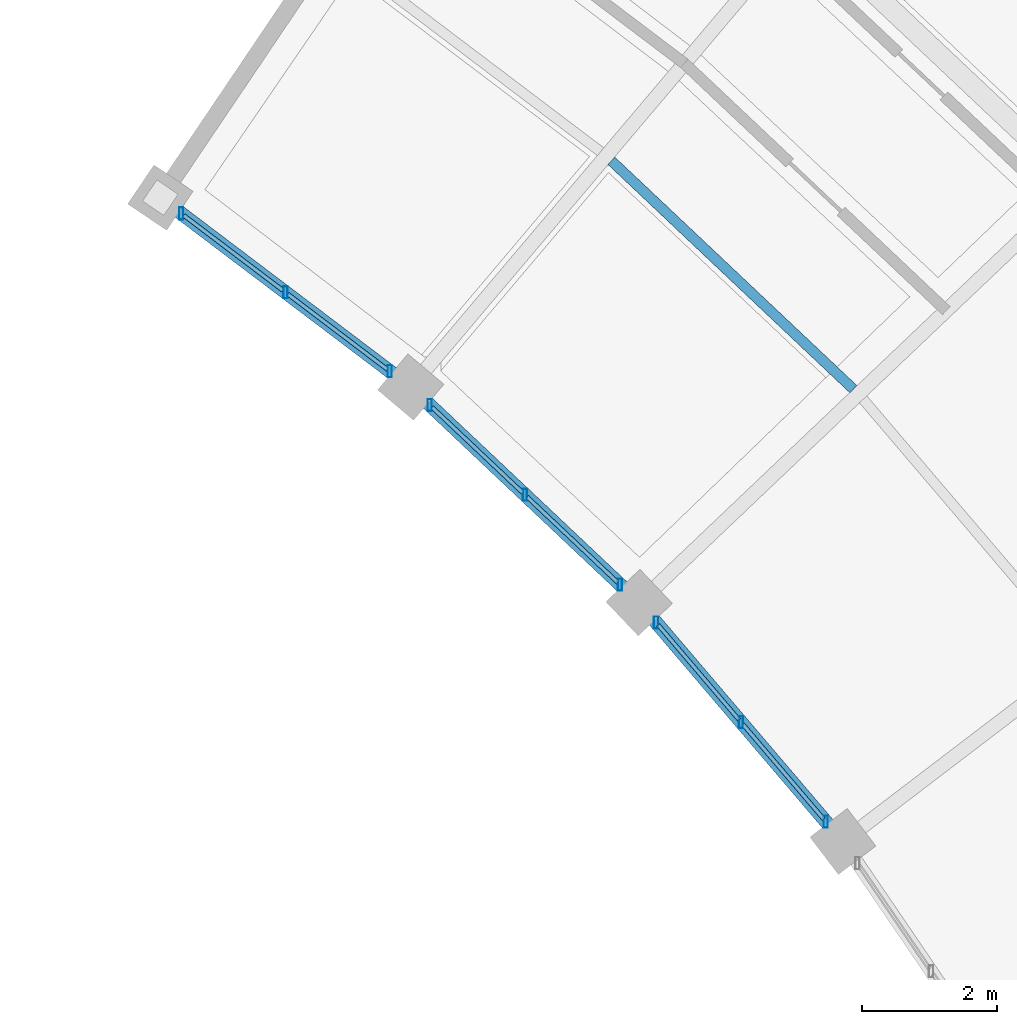
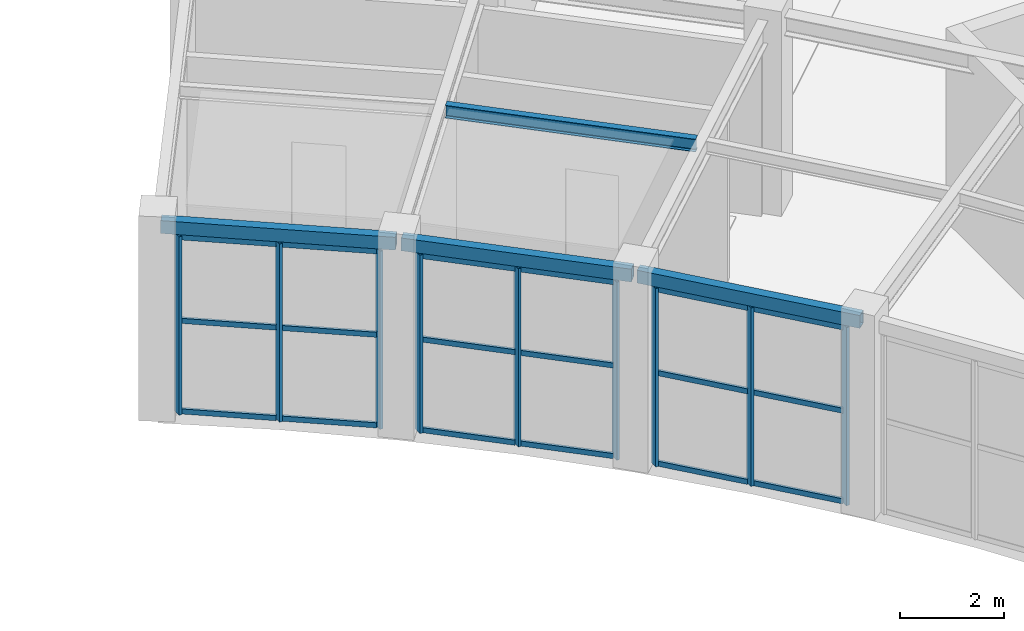
# One storey, part 63 of 100: 27 members, 4 beams, 3 elements without a shape of their own.
"""IFC4 building model written with IfcOpenShell, lengths in metres."""

from ifc_helpers import new_model, si_unit, direction, frame, origin, origin_2d, place, context, subcontext, project, spatial, hollow_rectangle, i_section, extrude, material, material_profile, profile_set, type_object, element, aggregate, save


model = new_model("IFC4")

# Units and contexts
model_context = context("Model", 3, precision=1e-05, world=origin(), true_north=direction((0.0, 1.0)))
body_context = subcontext(model_context, "Body", "Model", "MODEL_VIEW")
ifc_project = project(units=[si_unit("LENGTHUNIT", "METRE"), si_unit("AREAUNIT", "SQUARE_METRE"), si_unit("VOLUMEUNIT", "CUBIC_METRE"), si_unit("PLANEANGLEUNIT", "RADIAN"), si_unit("MASSUNIT", "GRAM", prefix="KILO")], contexts=[model_context])

# Site, building, storey
site_placement = place(None, origin())
site = spatial("IfcSite", under=ifc_project, at=site_placement, CompositionType="ELEMENT")
building_placement = place(site_placement, origin())
building = spatial("IfcBuilding", under=site, at=building_placement, Name="Tarnveldt Headland Concert Hall", CompositionType="ELEMENT")
storey_placement = place(building_placement, frame((0.0, 0.0, 4.800048828125)))
storey = spatial("IfcBuildingStorey", under=building, at=storey_placement, Name="L01", CompositionType="ELEMENT", Elevation=4.800048828125)

# Curtain wall, members
ifc_material_1 = material(Name="Marine-anodised aluminium EN AW-6063-T6", Category="aluminium")
curtain_wall_type = type_object("IfcCurtainWallType", Name="CW-C2", PredefinedType="NOTDEFINED", material=ifc_material_1)
curtain_wall_1_placement = place(storey_placement, origin())
curtain_wall_1 = element("IfcCurtainWall", 1, at=curtain_wall_1_placement, inside=storey, type_object=curtain_wall_type, Name="Curtain wall CW-L01-120", PredefinedType="NOTDEFINED")
ifc_material_profile_1 = material_profile(ifc_material_1, hollow_rectangle(XDim=0.06494140625, YDim=0.179931640625, WallThickness=0.00390625, at=origin_2d()), Name="ALU MULLION 65x180x4", Category="aluminium")
ifc_profile_set_1 = profile_set([ifc_material_profile_1], Name="Marine-anodised aluminium EN AW-6063-T6")
member_type_1 = type_object("IfcMemberType", Name="ML-180", PredefinedType="MULLION", material=ifc_profile_set_1)
member_1_placement = place(storey_placement, frame((151.437255859375, 86.374267578125, 0.0), z_axis=(0.0, 0.0, 1.0), x_axis=(1.0, 0.0, 0.0)))
member_1 = element("IfcMember", 2, at=member_1_placement, type_object=member_type_1, Name="Mullion CW-L01-120-1", PredefinedType="MULLION", context=body_context, shape_type="SweptSolid", body=[
    extrude(hollow_rectangle(XDim=0.06494140625, YDim=0.179931640625, WallThickness=0.00390625, at=origin_2d()), origin(), (0.0, 0.0, 1.0), 4.179931640625),
])
member_2_placement = place(storey_placement, frame((150.17626953125, 87.853515625, 0.0), z_axis=(0.0, 0.0, 1.0), x_axis=(1.0, 0.0, 0.0)))
member_2 = element("IfcMember", 3, at=member_2_placement, type_object=member_type_1, Name="Mullion CW-L01-120-2", PredefinedType="MULLION", context=body_context, shape_type="SweptSolid", body=[
    extrude(hollow_rectangle(XDim=0.06494140625, YDim=0.179931640625, WallThickness=0.00390625, at=origin_2d()), origin(), (0.0, 0.0, 1.0), 4.179931640625),
])
member_3_placement = place(storey_placement, frame((148.915283203125, 89.332763671875, 0.0), z_axis=(0.0, 0.0, 1.0), x_axis=(1.0, 0.0, 0.0)))
member_3 = element("IfcMember", 4, at=member_3_placement, type_object=member_type_1, Name="Mullion CW-L01-120-3", PredefinedType="MULLION", context=body_context, shape_type="SweptSolid", body=[
    extrude(hollow_rectangle(XDim=0.06494140625, YDim=0.179931640625, WallThickness=0.00390625, at=origin_2d()), origin(), (0.0, 0.0, 1.0), 4.179931640625),
])

curtain_wall_2_placement = place(storey_placement, origin())
curtain_wall_2 = element("IfcCurtainWall", 5, at=curtain_wall_2_placement, inside=storey, type_object=curtain_wall_type, Name="Curtain wall CW-L01-121", PredefinedType="NOTDEFINED")
member_4_placement = place(storey_placement, frame((148.378662109375, 89.897216796875, 0.0), z_axis=(0.0, 0.0, 1.0), x_axis=(1.0, 0.0, 0.0)))
member_4 = element("IfcMember", 6, at=member_4_placement, type_object=member_type_1, Name="Mullion CW-L01-121-1", PredefinedType="MULLION", context=body_context, shape_type="SweptSolid", body=[
    extrude(hollow_rectangle(XDim=0.06494140625, YDim=0.179931640625, WallThickness=0.00390625, at=origin_2d()), origin(), (0.0, 0.0, 1.0), 4.179931640625),
])
member_5_placement = place(storey_placement, frame((146.96484375, 91.23095703125, 0.0), z_axis=(0.0, 0.0, 1.0), x_axis=(1.0, 0.0, 0.0)))
member_5 = element("IfcMember", 7, at=member_5_placement, type_object=member_type_1, Name="Mullion CW-L01-121-2", PredefinedType="MULLION", context=body_context, shape_type="SweptSolid", body=[
    extrude(hollow_rectangle(XDim=0.06494140625, YDim=0.179931640625, WallThickness=0.00390625, at=origin_2d()), origin(), (0.0, 0.0, 1.0), 4.179931640625),
])
member_6_placement = place(storey_placement, frame((145.551025390625, 92.56494140625, 0.0), z_axis=(0.0, 0.0, 1.0), x_axis=(1.0, 0.0, 0.0)))
member_6 = element("IfcMember", 8, at=member_6_placement, type_object=member_type_1, Name="Mullion CW-L01-121-3", PredefinedType="MULLION", context=body_context, shape_type="SweptSolid", body=[
    extrude(hollow_rectangle(XDim=0.06494140625, YDim=0.179931640625, WallThickness=0.00390625, at=origin_2d()), origin(), (0.0, 0.0, 1.0), 4.179931640625),
])

curtain_wall_3_placement = place(storey_placement, origin())
curtain_wall_3 = element("IfcCurtainWall", 9, at=curtain_wall_3_placement, inside=storey, type_object=curtain_wall_type, Name="Curtain wall CW-L01-122", PredefinedType="NOTDEFINED")
member_7_placement = place(storey_placement, frame((144.956298828125, 93.06787109375, 0.0), z_axis=(0.0, 0.0, 1.0), x_axis=(1.0, 0.0, 0.0)))
member_7 = element("IfcMember", 10, at=member_7_placement, type_object=member_type_1, Name="Mullion CW-L01-122-1", PredefinedType="MULLION", context=body_context, shape_type="SweptSolid", body=[
    extrude(hollow_rectangle(XDim=0.06494140625, YDim=0.179931640625, WallThickness=0.00390625, at=origin_2d()), origin(), (0.0, 0.0, 1.0), 4.179931640625),
])
member_8_placement = place(storey_placement, frame((143.406494140625, 94.240478515625, 0.0), z_axis=(0.0, 0.0, 1.0), x_axis=(1.0, 0.0, 0.0)))
member_8 = element("IfcMember", 11, at=member_8_placement, type_object=member_type_1, Name="Mullion CW-L01-122-2", PredefinedType="MULLION", context=body_context, shape_type="SweptSolid", body=[
    extrude(hollow_rectangle(XDim=0.06494140625, YDim=0.179931640625, WallThickness=0.00390625, at=origin_2d()), origin(), (0.0, 0.0, 1.0), 4.179931640625),
])
member_9_placement = place(storey_placement, frame((141.856201171875, 95.413330078125, 0.0), z_axis=(0.0, 0.0, 1.0), x_axis=(1.0, 0.0, 0.0)))
member_9 = element("IfcMember", 12, at=member_9_placement, type_object=member_type_1, Name="Mullion CW-L01-122-3", PredefinedType="MULLION", context=body_context, shape_type="SweptSolid", body=[
    extrude(hollow_rectangle(XDim=0.06494140625, YDim=0.179931640625, WallThickness=0.00390625, at=origin_2d()), origin(), (0.0, 0.0, 1.0), 4.179931640625),
])

# Beams
ifc_material_2 = material(Name="Steel S355", Category="steel")
ifc_material_profile_2 = material_profile(ifc_material_2, i_section(OverallWidth=0.14990234375, OverallDepth=0.300048828125, WebThickness=0.007080078125, FlangeThickness=0.0107421875, FilletRadius=0.014892578125, at=origin_2d()), Name="IPE300", Category="steel")
ifc_profile_set_2 = profile_set([ifc_material_profile_2], Name="Steel S355")
beam_type_1 = type_object("IfcBeamType", Name="SB-IPE300", PredefinedType="JOIST", material=ifc_profile_set_2)
beam_1_placement = place(storey_placement, frame((151.84716796875, 92.80224609375, 4.389892578125), z_axis=(-0.727367617493, 0.686248022965, 0.0), x_axis=(-0.686248022965, -0.727367617493, 0.0)))
element("IfcBeam", 13, at=beam_1_placement, inside=storey, type_object=beam_type_1, Name="Framing beam L01-852", PredefinedType="JOIST", context=body_context, shape_type="SweptSolid", body=[
    extrude(i_section(OverallWidth=0.14990234375, OverallDepth=0.300048828125, WebThickness=0.007080078125, FlangeThickness=0.0107421875, FilletRadius=0.014892578125, at=origin_2d()), origin(), (0.0, 0.0, 1.0), 4.94580078125),
])
ifc_material_profile_3 = material_profile(ifc_material_2, hollow_rectangle(XDim=0.199951171875, YDim=0.300048828125, WallThickness=0.012451171875, at=origin_2d()), Name="RHS 300x200x12.5", Category="steel")
ifc_profile_set_3 = profile_set([ifc_material_profile_3], Name="Steel S355")
beam_type_2 = type_object("IfcBeamType", Name="SB-RHS300", PredefinedType="SPANDREL", material=ifc_profile_set_3)
beam_2_placement = place(storey_placement, frame((151.6513671875, 86.123046875, 4.389892578125), z_axis=(-0.648715315983, 0.761031168093, 0.0), x_axis=(-0.761031168093, -0.648715315983, 0.0)))
element("IfcBeam", 14, at=beam_2_placement, inside=storey, type_object=beam_type_2, Name="Framing beam L01-842", PredefinedType="SPANDREL", context=body_context, shape_type="SweptSolid", body=[
    extrude(hollow_rectangle(XDim=0.199951171875, YDim=0.300048828125, WallThickness=0.012451171875, at=origin_2d()), origin(), (0.0, 0.0, 1.0), 4.54736328125),
])
beam_3_placement = place(storey_placement, frame((148.618896484375, 89.670654296875, 4.389892578125), z_axis=(-0.72739567497, 0.686218283081, 0.0), x_axis=(-0.686218283081, -0.72739567497, 0.0)))
element("IfcBeam", 15, at=beam_3_placement, inside=storey, type_object=beam_type_2, Name="Framing beam L01-849", PredefinedType="SPANDREL", context=body_context, shape_type="SweptSolid", body=[
    extrude(hollow_rectangle(XDim=0.199951171875, YDim=0.300048828125, WallThickness=0.012451171875, at=origin_2d()), origin(), (0.0, 0.0, 1.0), 4.547607421875),
])
beam_4_placement = place(storey_placement, frame((145.219482421875, 92.86865234375, 4.389892578125), z_axis=(-0.797480390637, 0.603344865355, 0.0), x_axis=(-0.603344865355, -0.797480390637, 0.0)))
element("IfcBeam", 16, at=beam_4_placement, inside=storey, type_object=beam_type_2, Name="Framing beam L01-856", PredefinedType="SPANDREL", context=body_context, shape_type="SweptSolid", body=[
    extrude(hollow_rectangle(XDim=0.199951171875, YDim=0.300048828125, WallThickness=0.012451171875, at=origin_2d()), origin(), (0.0, 0.0, 1.0), 4.54736328125),
])

# Member
ifc_material_profile_4 = material_profile(ifc_material_1, hollow_rectangle(XDim=0.06005859375, YDim=0.1201171875, WallThickness=0.00390625, at=origin_2d()), Name="ALU TRANSOM 60x120x4", Category="aluminium")
ifc_profile_set_4 = profile_set([ifc_material_profile_4], Name="Marine-anodised aluminium EN AW-6063-T6")
member_type_2 = type_object("IfcMemberType", Name="TR-110", PredefinedType="MEMBER", material=ifc_profile_set_4)
member_10_placement = place(storey_placement, frame((151.408203125, 86.408203125, 0.050048828125), z_axis=(-0.648729176697, 0.761019352777, 0.0), x_axis=(-0.761019352777, -0.648729176697, 0.0)))
member_10 = element("IfcMember", 17, at=member_10_placement, type_object=member_type_2, Name="Transom CW-L01-120-1-1", PredefinedType="MEMBER", context=body_context, shape_type="SweptSolid", body=[
    extrude(hollow_rectangle(XDim=0.06005859375, YDim=0.1201171875, WallThickness=0.00390625, at=origin_2d()), origin(), (0.0, 0.0, 1.0), 1.8544921875),
])

member_11_placement = place(storey_placement, frame((151.408203125, 86.408203125, 2.173583984375), z_axis=(-0.648729176697, 0.761019352777, 0.0), x_axis=(-0.761019352777, -0.648729176697, 0.0)))
member_11 = element("IfcMember", 18, at=member_11_placement, type_object=member_type_2, Name="Transom CW-L01-120-1-2", PredefinedType="MEMBER", context=body_context, shape_type="SweptSolid", body=[
    extrude(hollow_rectangle(XDim=0.06005859375, YDim=0.1201171875, WallThickness=0.00390625, at=origin_2d()), origin(), (0.0, 0.0, 1.0), 1.8544921875),
])

member_12_placement = place(storey_placement, frame((151.408203125, 86.408203125, 4.1298828125), z_axis=(-0.648729176697, 0.761019352777, 0.0), x_axis=(-0.761019352777, -0.648729176697, 0.0)))
member_12 = element("IfcMember", 19, at=member_12_placement, type_object=member_type_2, Name="Transom CW-L01-120-1-3", PredefinedType="MEMBER", context=body_context, shape_type="SweptSolid", body=[
    extrude(hollow_rectangle(XDim=0.06005859375, YDim=0.1201171875, WallThickness=0.00390625, at=origin_2d()), origin(), (0.0, 0.0, 1.0), 1.8544921875),
])

member_13_placement = place(storey_placement, frame((150.1474609375, 87.88720703125, 0.050048828125), z_axis=(-0.648664190045, 0.761074745707, 0.0), x_axis=(-0.761074745707, -0.648664190045, 0.0)))
member_13 = element("IfcMember", 20, at=member_13_placement, type_object=member_type_2, Name="Transom CW-L01-120-2-1", PredefinedType="MEMBER", context=body_context, shape_type="SweptSolid", body=[
    extrude(hollow_rectangle(XDim=0.06005859375, YDim=0.1201171875, WallThickness=0.00390625, at=origin_2d()), origin(), (0.0, 0.0, 1.0), 1.854736328125),
])

member_14_placement = place(storey_placement, frame((150.1474609375, 87.88720703125, 2.173583984375), z_axis=(-0.648664190045, 0.761074745707, 0.0), x_axis=(-0.761074745707, -0.648664190045, 0.0)))
member_14 = element("IfcMember", 21, at=member_14_placement, type_object=member_type_2, Name="Transom CW-L01-120-2-2", PredefinedType="MEMBER", context=body_context, shape_type="SweptSolid", body=[
    extrude(hollow_rectangle(XDim=0.06005859375, YDim=0.1201171875, WallThickness=0.00390625, at=origin_2d()), origin(), (0.0, 0.0, 1.0), 1.854736328125),
])

member_15_placement = place(storey_placement, frame((150.1474609375, 87.88720703125, 4.1298828125), z_axis=(-0.648664190045, 0.761074745707, 0.0), x_axis=(-0.761074745707, -0.648664190045, 0.0)))
member_15 = element("IfcMember", 22, at=member_15_placement, type_object=member_type_2, Name="Transom CW-L01-120-2-3", PredefinedType="MEMBER", context=body_context, shape_type="SweptSolid", body=[
    extrude(hollow_rectangle(XDim=0.06005859375, YDim=0.1201171875, WallThickness=0.00390625, at=origin_2d()), origin(), (0.0, 0.0, 1.0), 1.854736328125),
])

aggregate(curtain_wall_1, [member_1, member_2, member_3, member_10, member_11, member_12, member_13, member_14, member_15])

member_16_placement = place(storey_placement, frame((148.34619140625, 89.927490234375, 0.050048828125), z_axis=(-0.72727958749, 0.686341315688, 0.0), x_axis=(-0.686341315688, -0.72727958749, 0.0)))
member_16 = element("IfcMember", 23, at=member_16_placement, type_object=member_type_2, Name="Transom CW-L01-121-1-1", PredefinedType="MEMBER", context=body_context, shape_type="SweptSolid", body=[
    extrude(hollow_rectangle(XDim=0.06005859375, YDim=0.1201171875, WallThickness=0.00390625, at=origin_2d()), origin(), (0.0, 0.0, 1.0), 1.854736328125),
])

member_17_placement = place(storey_placement, frame((148.34619140625, 89.927490234375, 2.173583984375), z_axis=(-0.72727958749, 0.686341315688, 0.0), x_axis=(-0.686341315688, -0.72727958749, 0.0)))
member_17 = element("IfcMember", 24, at=member_17_placement, type_object=member_type_2, Name="Transom CW-L01-121-1-2", PredefinedType="MEMBER", context=body_context, shape_type="SweptSolid", body=[
    extrude(hollow_rectangle(XDim=0.06005859375, YDim=0.1201171875, WallThickness=0.00390625, at=origin_2d()), origin(), (0.0, 0.0, 1.0), 1.854736328125),
])

member_18_placement = place(storey_placement, frame((148.34619140625, 89.927490234375, 4.1298828125), z_axis=(-0.72727958749, 0.686341315688, 0.0), x_axis=(-0.686341315688, -0.72727958749, 0.0)))
member_18 = element("IfcMember", 25, at=member_18_placement, type_object=member_type_2, Name="Transom CW-L01-121-1-3", PredefinedType="MEMBER", context=body_context, shape_type="SweptSolid", body=[
    extrude(hollow_rectangle(XDim=0.06005859375, YDim=0.1201171875, WallThickness=0.00390625, at=origin_2d()), origin(), (0.0, 0.0, 1.0), 1.854736328125),
])

member_19_placement = place(storey_placement, frame((146.9326171875, 91.261474609375, 0.050048828125), z_axis=(-0.727341586826, 0.686275612326, 0.0), x_axis=(-0.686275612326, -0.727341586826, 0.0)))
member_19 = element("IfcMember", 26, at=member_19_placement, type_object=member_type_2, Name="Transom CW-L01-121-2-1", PredefinedType="MEMBER", context=body_context, shape_type="SweptSolid", body=[
    extrude(hollow_rectangle(XDim=0.06005859375, YDim=0.1201171875, WallThickness=0.00390625, at=origin_2d()), origin(), (0.0, 0.0, 1.0), 1.85498046875),
])

member_20_placement = place(storey_placement, frame((146.9326171875, 91.261474609375, 2.173583984375), z_axis=(-0.727341586826, 0.686275612326, 0.0), x_axis=(-0.686275612326, -0.727341586826, 0.0)))
member_20 = element("IfcMember", 27, at=member_20_placement, type_object=member_type_2, Name="Transom CW-L01-121-2-2", PredefinedType="MEMBER", context=body_context, shape_type="SweptSolid", body=[
    extrude(hollow_rectangle(XDim=0.06005859375, YDim=0.1201171875, WallThickness=0.00390625, at=origin_2d()), origin(), (0.0, 0.0, 1.0), 1.85498046875),
])

member_21_placement = place(storey_placement, frame((146.9326171875, 91.261474609375, 4.1298828125), z_axis=(-0.727341586826, 0.686275612326, 0.0), x_axis=(-0.686275612326, -0.727341586826, 0.0)))
member_21 = element("IfcMember", 28, at=member_21_placement, type_object=member_type_2, Name="Transom CW-L01-121-2-3", PredefinedType="MEMBER", context=body_context, shape_type="SweptSolid", body=[
    extrude(hollow_rectangle(XDim=0.06005859375, YDim=0.1201171875, WallThickness=0.00390625, at=origin_2d()), origin(), (0.0, 0.0, 1.0), 1.85498046875),
])

aggregate(curtain_wall_2, [member_4, member_5, member_6, member_16, member_17, member_18, member_19, member_20, member_21])

member_22_placement = place(storey_placement, frame((144.9208984375, 93.094482421875, 0.050048828125), z_axis=(-0.797433775242, 0.603406475026, 0.0), x_axis=(-0.603406475026, -0.797433775242, 0.0)))
member_22 = element("IfcMember", 29, at=member_22_placement, type_object=member_type_2, Name="Transom CW-L01-122-1-1", PredefinedType="MEMBER", context=body_context, shape_type="SweptSolid", body=[
    extrude(hollow_rectangle(XDim=0.06005859375, YDim=0.1201171875, WallThickness=0.00390625, at=origin_2d()), origin(), (0.0, 0.0, 1.0), 1.854736328125),
])

member_23_placement = place(storey_placement, frame((144.9208984375, 93.094482421875, 2.173583984375), z_axis=(-0.797433775242, 0.603406475026, 0.0), x_axis=(-0.603406475026, -0.797433775242, 0.0)))
member_23 = element("IfcMember", 30, at=member_23_placement, type_object=member_type_2, Name="Transom CW-L01-122-1-2", PredefinedType="MEMBER", context=body_context, shape_type="SweptSolid", body=[
    extrude(hollow_rectangle(XDim=0.06005859375, YDim=0.1201171875, WallThickness=0.00390625, at=origin_2d()), origin(), (0.0, 0.0, 1.0), 1.854736328125),
])

member_24_placement = place(storey_placement, frame((144.9208984375, 93.094482421875, 4.1298828125), z_axis=(-0.797433775242, 0.603406475026, 0.0), x_axis=(-0.603406475026, -0.797433775242, 0.0)))
member_24 = element("IfcMember", 31, at=member_24_placement, type_object=member_type_2, Name="Transom CW-L01-122-1-3", PredefinedType="MEMBER", context=body_context, shape_type="SweptSolid", body=[
    extrude(hollow_rectangle(XDim=0.06005859375, YDim=0.1201171875, WallThickness=0.00390625, at=origin_2d()), origin(), (0.0, 0.0, 1.0), 1.854736328125),
])

member_25_placement = place(storey_placement, frame((143.370849609375, 94.267333984375, 0.050048828125), z_axis=(-0.797433775242, 0.603406475026, 0.0), x_axis=(-0.603406475026, -0.797433775242, 0.0)))
member_25 = element("IfcMember", 32, at=member_25_placement, type_object=member_type_2, Name="Transom CW-L01-122-2-1", PredefinedType="MEMBER", context=body_context, shape_type="SweptSolid", body=[
    extrude(hollow_rectangle(XDim=0.06005859375, YDim=0.1201171875, WallThickness=0.00390625, at=origin_2d()), origin(), (0.0, 0.0, 1.0), 1.854736328125),
])

member_26_placement = place(storey_placement, frame((143.370849609375, 94.267333984375, 2.173583984375), z_axis=(-0.797433775242, 0.603406475026, 0.0), x_axis=(-0.603406475026, -0.797433775242, 0.0)))
member_26 = element("IfcMember", 33, at=member_26_placement, type_object=member_type_2, Name="Transom CW-L01-122-2-2", PredefinedType="MEMBER", context=body_context, shape_type="SweptSolid", body=[
    extrude(hollow_rectangle(XDim=0.06005859375, YDim=0.1201171875, WallThickness=0.00390625, at=origin_2d()), origin(), (0.0, 0.0, 1.0), 1.854736328125),
])

member_27_placement = place(storey_placement, frame((143.370849609375, 94.267333984375, 4.1298828125), z_axis=(-0.797433775242, 0.603406475026, 0.0), x_axis=(-0.603406475026, -0.797433775242, 0.0)))
member_27 = element("IfcMember", 34, at=member_27_placement, type_object=member_type_2, Name="Transom CW-L01-122-2-3", PredefinedType="MEMBER", context=body_context, shape_type="SweptSolid", body=[
    extrude(hollow_rectangle(XDim=0.06005859375, YDim=0.1201171875, WallThickness=0.00390625, at=origin_2d()), origin(), (0.0, 0.0, 1.0), 1.854736328125),
])

aggregate(curtain_wall_3, [member_7, member_8, member_9, member_22, member_23, member_24, member_25, member_26, member_27])

save(model, "model.ifc")
